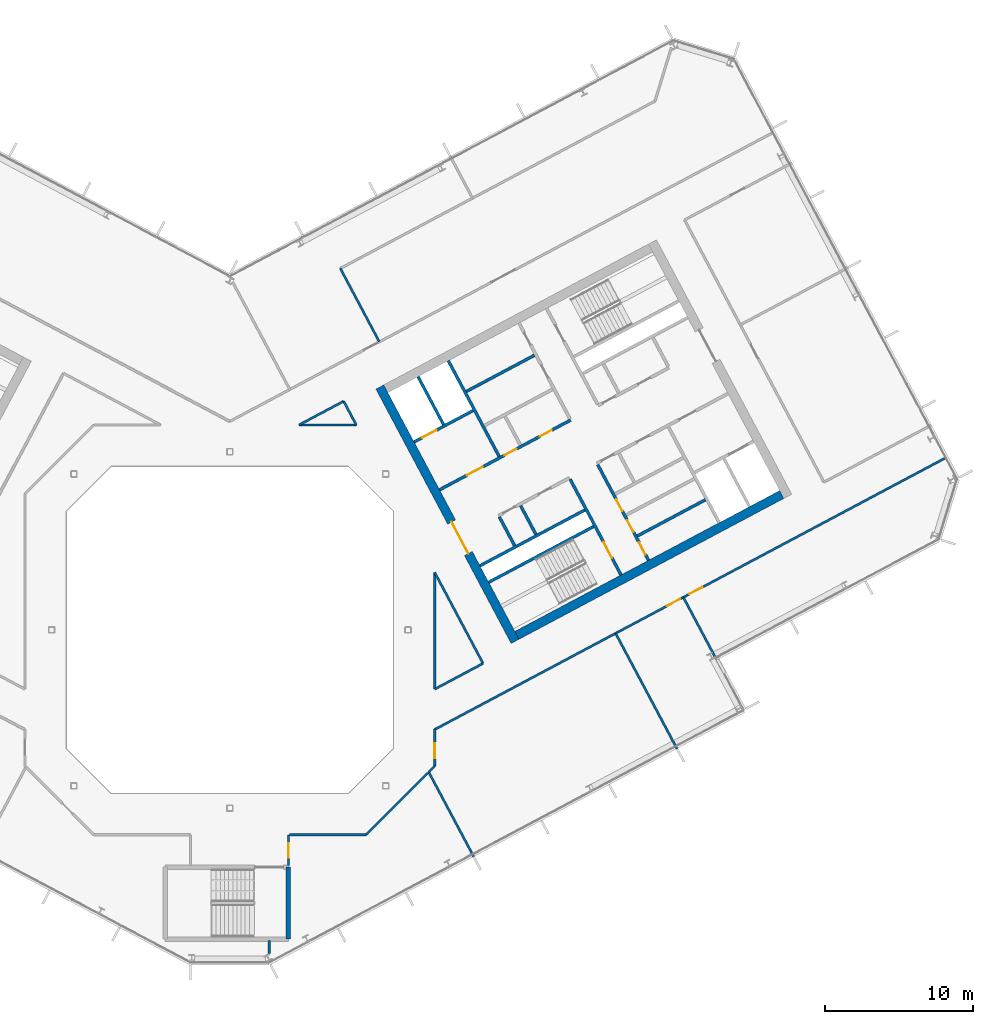
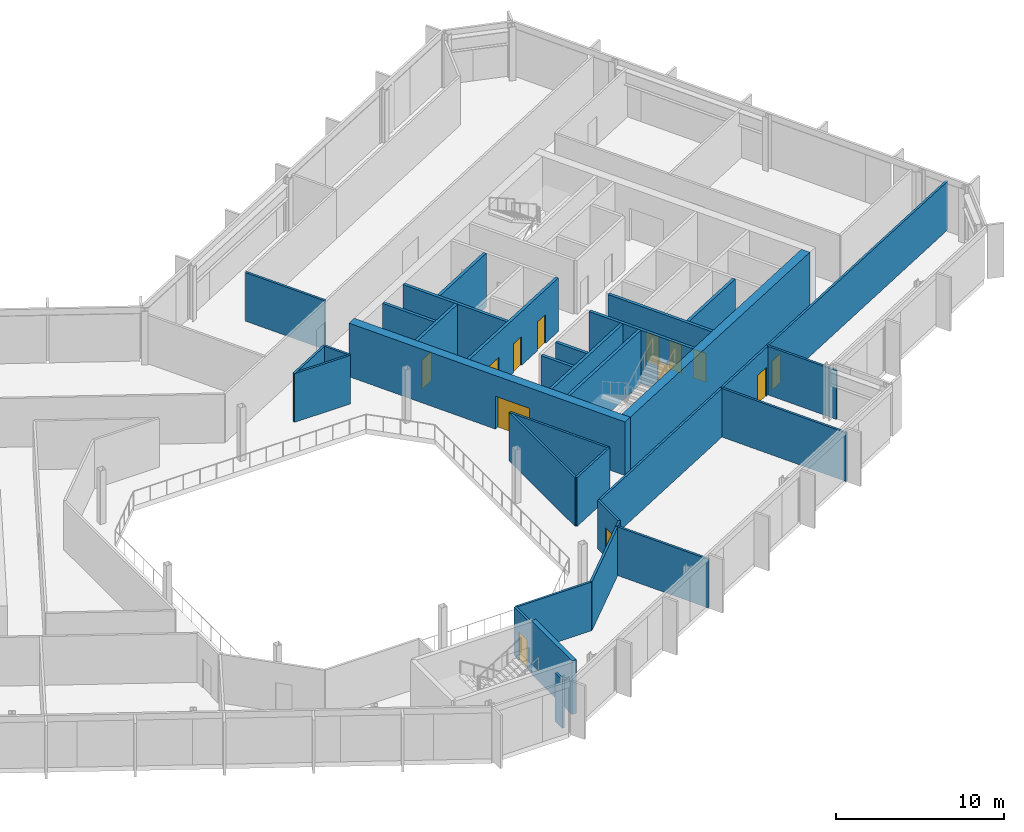
# One storey, part 15 of 26: 32 walls, 13 doors, 13 openings.
"""IFC4 building model written with IfcOpenShell, lengths in metres."""

import ifcopenshell
import ifcopenshell.guid

model = None  # the IFC model being written
_history = None  # IfcOwnerHistory: only IFC2X3 demands one
_inside = {}  # id of a spatial element -> (the spatial element, [elements in it])
_under = {}  # id of a project, library or spatial element -> (it, [spatial elements below it])
_declared = {}  # id of a project -> (the project, [libraries it declares])
_typed = {}  # id of a type object -> (the type object, [elements of that type])
_made_of = {}  # id of a material, layer set ... -> (it, [elements and type objects made of it])


def new_model(schema):
    """Start an empty IFC model of exactly this schema.

    Asked for "IFC4X3", IfcOpenShell would pick the latest addendum, in which some entities
    have other attributes; the version numbers below select the first issue.
    IFC2X3 requires an IfcOwnerHistory on every rooted entity: one is made here for all.
    """
    global model, _history
    if schema == "IFC4X3":
        model = ifcopenshell.file(schema_version=(4, 3, 0, 0))
    else:
        model = ifcopenshell.file(schema=schema)
    _inside.clear()
    _under.clear()
    _declared.clear()
    _typed.clear()
    _made_of.clear()
    _history = None
    if model.schema == "IFC2X3":
        org = make("IfcOrganization", Name="unknown")
        user = make(
            "IfcPersonAndOrganization",
            ThePerson=make("IfcPerson", FamilyName="unknown"),
            TheOrganization=org,
        )
        app = make(
            "IfcApplication",
            ApplicationDeveloper=org,
            Version="unknown",
            ApplicationFullName="unknown",
            ApplicationIdentifier="unknown",
        )
        _history = make(
            "IfcOwnerHistory",
            OwningUser=user,
            OwningApplication=app,
            ChangeAction="ADDED",
            CreationDate=0,
        )
    return model


def make(cls, **values):
    """One entity of the class cls with the attributes given. An attribute that is None is left unset."""
    return model.create_entity(
        cls, **{name: value for name, value in values.items() if value is not None}
    )


def rooted(cls, **values):
    """An entity with a GlobalId (a new one), such as an element, a storey or a relation."""
    return make(cls, GlobalId=ifcopenshell.guid.new(), OwnerHistory=_history, **values)


def si_unit(unit_type, name, prefix=None):
    """IfcSIUnit, for example si_unit("LENGTHUNIT", "METRE", prefix="MILLI")."""
    return make("IfcSIUnit", UnitType=unit_type, Prefix=prefix, Name=name)


def assignment(units):
    """IfcUnitAssignment: the units of a project."""
    return None if units is None else make("IfcUnitAssignment", Units=units)


def point(xyz):
    """IfcCartesianPoint."""
    return None if xyz is None else make("IfcCartesianPoint", Coordinates=xyz)


def direction(xyz):
    """IfcDirection."""
    return None if xyz is None else make("IfcDirection", DirectionRatios=xyz)


def frame(location, z_axis=None, x_axis=None):
    """IfcAxis2Placement3D, a coordinate frame: its origin and axes. An axis left out is left unset."""
    return make(
        "IfcAxis2Placement3D",
        Location=point(location),
        Axis=direction(z_axis),
        RefDirection=direction(x_axis),
    )


def frame_2d(location, x_axis=None):
    """IfcAxis2Placement2D, a coordinate frame in the plane: its origin and x axis."""
    return make(
        "IfcAxis2Placement2D", Location=point(location), RefDirection=direction(x_axis)
    )


def origin():
    """The frame at (0, 0, 0) with its axes left unset."""
    return frame((0.0, 0.0, 0.0))


def place(relative_to, where):
    """IfcLocalPlacement: puts the frame where relative to a parent placement (None: the world)."""
    return make(
        "IfcLocalPlacement", PlacementRelTo=relative_to, RelativePlacement=where
    )


def context(
    kind, dimensions, precision=None, world=None, true_north=None, identifier=None
):
    """IfcGeometricRepresentationContext, for example the 3D "Model" context."""
    return make(
        "IfcGeometricRepresentationContext",
        ContextIdentifier=identifier,
        ContextType=kind,
        CoordinateSpaceDimension=dimensions,
        Precision=precision,
        WorldCoordinateSystem=world,
        TrueNorth=true_north,
    )


def subcontext(parent, identifier, kind, view, scale=None):
    """IfcGeometricRepresentationSubContext, for example "Body" below "Model"."""
    return make(
        "IfcGeometricRepresentationSubContext",
        ContextIdentifier=identifier,
        ContextType=kind,
        ParentContext=parent,
        TargetScale=scale,
        TargetView=view,
    )


def project(units=None, contexts=None):
    """IfcProject with its units and contexts."""
    return rooted(
        "IfcProject",
        Name="project",
        RepresentationContexts=contexts,
        UnitsInContext=assignment(units),
    )


def spatial(cls, under=None, at=None, **own):
    """A site, building, storey or space (cls), placed at a placement, below another one or the project."""
    s = rooted(cls, ObjectPlacement=at, **own)
    if under is not None:
        _under.setdefault(under.id(), (under, []))[1].append(s)
    return s


def profile(cls, at=None, kind="AREA", **sizes):
    """A parametric profile (cls). Its sizes go by their IFC names, for example OverallWidth=200.0."""
    return make(cls, ProfileType=kind, Position=at, **sizes)


def rectangle(**sizes):
    """IfcRectangleProfileDef."""
    return profile("IfcRectangleProfileDef", **sizes)


def extrude(swept, where, along, depth):
    """IfcExtrudedAreaSolid: the profile swept, set in the frame where, extruded along a direction by depth."""
    return make(
        "IfcExtrudedAreaSolid",
        SweptArea=swept,
        Position=where,
        ExtrudedDirection=direction(along),
        Depth=depth,
    )


def shape(context_of_items, identifier, shape_type, items):
    """IfcShapeRepresentation: the items that make up one representation, for example the "Body"."""
    return make(
        "IfcShapeRepresentation",
        ContextOfItems=context_of_items,
        RepresentationIdentifier=identifier,
        RepresentationType=shape_type,
        Items=items,
    )


def material(Name=None, Category=None):
    """IfcMaterial."""
    return make("IfcMaterial", Name=Name, Category=Category)


def layer(
    of_material, thickness, ventilated=None, Name=None, Category=None, Priority=None
):
    """IfcMaterialLayer: one layer of a wall or slab, of a material (None: an air gap)."""
    return make(
        "IfcMaterialLayer",
        Material=of_material,
        LayerThickness=thickness,
        IsVentilated=ventilated,
        Name=Name,
        Category=Category,
        Priority=Priority,
    )


def layer_set(layers, Name=None):
    """IfcMaterialLayerSet."""
    return make("IfcMaterialLayerSet", MaterialLayers=layers, LayerSetName=Name)


def made_of(thing, what):
    """Note that an element or type object is made of a material, layer set ...; save() writes the relation."""
    if what is not None:
        _made_of.setdefault(what.id(), (what, []))[1].append(thing)
    return thing


def type_object(cls, material=None, **own):
    """A type object (cls), such as IfcWallType, which elements share."""
    return made_of(rooted(cls, **own), material)


def element(
    cls,
    number,
    at=None,
    inside=None,
    cuts=None,
    type_object=None,
    material=None,
    context=None,
    identifier="Body",
    shape_type=None,
    held_by="IfcProductDefinitionShape",
    body=None,
    shapes=None,
    **own,
):
    """One element of the class cls, such as IfcWall. Its Tag is "e" and its number.

    at: its placement. inside: the storey or other place that contains it. cuts: it is an
    opening in that element (IfcRelVoidsElement). A single representation is given by context,
    identifier, shape_type and body (its items); several are given by shapes. held_by: the class
    of the entity that holds the representations. save() writes the other relations.
    """
    e = rooted(cls, Tag="e%d" % number, ObjectPlacement=at, **own)
    if body is not None:
        shapes = [shape(context, identifier, shape_type, body)]
    if shapes is not None:
        e.Representation = make(held_by, Representations=shapes)
    if inside is not None:
        _inside.setdefault(inside.id(), (inside, []))[1].append(e)
    if cuts is not None:
        rooted(
            "IfcRelVoidsElement", RelatingBuildingElement=cuts, RelatedOpeningElement=e
        )
    if type_object is not None:
        _typed.setdefault(type_object.id(), (type_object, []))[1].append(e)
    return made_of(e, material)


def fill(opening, filler):
    """IfcRelFillsElement: the door or window that sits in an opening."""
    return rooted(
        "IfcRelFillsElement",
        RelatingOpeningElement=opening,
        RelatedBuildingElement=filler,
    )


def aggregate(whole, parts):
    """IfcRelAggregates: a whole, such as a stair, and the parts it consists of."""
    return rooted("IfcRelAggregates", RelatingObject=whole, RelatedObjects=parts)


def save(model, path):
    """Write the relations noted so far, then the file.

    IfcRelAggregates (storeys below a building ...), IfcRelContainedInSpatialStructure (elements
    in a storey), IfcRelDefinesByType, IfcRelAssociatesMaterial and IfcRelDeclares: one each for
    every whole, place, type object, material and project.
    """
    for whole, parts in _under.values():
        aggregate(whole, parts)
    for where, things in _inside.values():
        rooted(
            "IfcRelContainedInSpatialStructure",
            RelatedElements=things,
            RelatingStructure=where,
        )
    for kind, things in _typed.values():
        rooted("IfcRelDefinesByType", RelatedObjects=things, RelatingType=kind)
    for what, things in _made_of.values():
        rooted("IfcRelAssociatesMaterial", RelatedObjects=things, RelatingMaterial=what)
    for by, libraries in _declared.values():
        rooted("IfcRelDeclares", RelatingContext=by, RelatedDefinitions=libraries)
    model.write(path)


model = new_model("IFC4")

# Units and contexts
model_context = context("Model", 3, precision=1e-05, world=origin(), true_north=direction((0.0, 1.0)))
body_context = subcontext(model_context, "Body", "Model", "MODEL_VIEW")
ifc_project = project(units=[si_unit("LENGTHUNIT", "METRE"), si_unit("AREAUNIT", "SQUARE_METRE"), si_unit("VOLUMEUNIT", "CUBIC_METRE"), si_unit("PLANEANGLEUNIT", "RADIAN"), si_unit("MASSUNIT", "GRAM", prefix="KILO")], contexts=[model_context])

# Site, building, storey
site_placement = place(None, origin())
site = spatial("IfcSite", under=ifc_project, at=site_placement, CompositionType="ELEMENT")
building_placement = place(site_placement, origin())
building = spatial("IfcBuilding", under=site, at=building_placement, Name="Cormorant Relay Tower", CompositionType="ELEMENT")
storey_placement = place(building_placement, frame((0.0, 0.0, 197.39990234375)))
storey = spatial("IfcBuildingStorey", under=building, at=storey_placement, Name="L42", CompositionType="ELEMENT", Elevation=197.39990234375)

# Walls
ifc_material_1 = material(Name="Concrete 40 MPa", Category="concrete")
ifc_layer_1 = layer(ifc_material_1, 0.199951171875)
ifc_layer_set_1 = layer_set([ifc_layer_1], Name="Core internal wall 200")
wall_type_1 = type_object("IfcWallType", Name="Core internal wall 200", PredefinedType="SOLIDWALL", material=ifc_layer_set_1)
wall_1_placement = place(storey_placement, frame((20.614013671875, 6.430419921875, 0.0), z_axis=(0.0, 0.0, 1.0), x_axis=(-0.4694473164, 0.882960484464, 0.0)))
element("IfcWall", 1, at=wall_1_placement, inside=storey, type_object=wall_type_1, Name="L42 core B shaft and room wall", PredefinedType="SOLIDWALL", context=body_context, shape_type="SweptSolid", body=[
    extrude(rectangle(XDim=2.199951171875, YDim=0.199951171875, at=frame_2d((1.10009765625, 0.0))), origin(), (0.0, 0.0, 1.0), 3.900146484375),
])
for number, where, z_axis, x_axis, name in (
    (2, (27.443359375, 6.32421875, 0.0), (0.0, 0.0, 1.0), (0.882953967957, 0.469459572775, 0.0), "L42 core B shaft and room wall"),
    (3, (15.92626953125, 16.056396484375, 0.0), (0.0, 0.0, 1.0), (0.882953967957, 0.469459572775, 0.0), "L42 core B shaft and room wall"),
):
    element("IfcWall", number, at=place(storey_placement, frame(where, z_axis=z_axis, x_axis=x_axis)), inside=storey, type_object=wall_type_1, Name=name, PredefinedType="SOLIDWALL", context=body_context, shape_type="SweptSolid", body=[
        extrude(rectangle(XDim=5.199951171875, YDim=0.199951171875, at=frame_2d((2.60009765625, 0.0))), origin(), (0.0, 0.0, 1.0), 3.900146484375),
    ])
ifc_material_2 = material(Name="Concrete 50 MPa", Category="concrete")
ifc_layer_2 = layer(ifc_material_2, 0.199951171875)
ifc_layer_set_2 = layer_set([ifc_layer_2], Name="Core shaft wall 200")
wall_type_2 = type_object("IfcWallType", Name="Core shaft wall 200", PredefinedType="SHEAR", material=ifc_layer_set_2)
wall_2_placement = place(storey_placement, frame((14.39404296875, 13.825927734375, 0.0), z_axis=(0.0, 0.0, 1.0), x_axis=(-0.469494272526, 0.882935517501, 0.0)))
element("IfcWall", 4, at=wall_2_placement, inside=storey, type_object=wall_type_2, Name="L42 core B shaft wall", PredefinedType="SHEAR", context=body_context, shape_type="SweptSolid", body=[
    extrude(rectangle(XDim=3.64990234375, YDim=0.199951171875, at=frame_2d((1.824951171875, 0.0))), origin(), (0.0, 0.0, 1.0), 3.900146484375),
])
wall_3_placement = place(storey_placement, frame((19.18359375, 5.669921875, 0.0), z_axis=(0.0, 0.0, 1.0), x_axis=(-0.4694473164, 0.882960484464, 0.0)))
element("IfcWall", 5, at=wall_3_placement, inside=storey, type_object=wall_type_2, Name="L42 core B shaft wall", PredefinedType="SHEAR", context=body_context, shape_type="SweptSolid", body=[
    extrude(rectangle(XDim=2.199951171875, YDim=0.199951171875, at=frame_2d((1.10009765625, 0.0))), origin(), (0.0, 0.0, 1.0), 3.900146484375),
])
wall_4_placement = place(storey_placement, frame((18.138427734375, 11.682861328125, 0.0), z_axis=(0.0, 0.0, 1.0), x_axis=(-0.469480409012, 0.88294288918, 0.0)))
element("IfcWall", 6, at=wall_4_placement, inside=storey, type_object=wall_type_2, Name="L42 core B shaft wall", PredefinedType="SHEAR", context=body_context, shape_type="SweptSolid", body=[
    extrude(rectangle(XDim=7.300048828125, YDim=0.199951171875, at=frame_2d((3.64990234375, 0.0))), origin(), (0.0, 0.0, 1.0), 3.900146484375),
])

# Wall, opening, door
wall_5_placement = place(storey_placement, frame((26.345947265625, 3.701904296875, 0.0), z_axis=(0.0, 0.0, 1.0), x_axis=(-0.469480409012, 0.88294288918, 0.0)))
wall_5 = element("IfcWall", 7, at=wall_5_placement, inside=storey, type_object=wall_type_2, Name="L42 core B shaft wall", PredefinedType="SHEAR", context=body_context, shape_type="SweptSolid", body=[
    extrude(rectangle(XDim=7.300048828125, YDim=0.199951171875, at=frame_2d((3.64990234375, 0.0))), origin(), (0.0, 0.0, 1.0), 3.900146484375),
])
opening_1_placement = place(wall_5_placement, frame((1.300048828125, 0.0, 0.0)))
opening_1 = element("IfcOpeningElement", 8, at=opening_1_placement, cuts=wall_5, Name="Opening CDB-040", PredefinedType="OPENING", context=body_context, shape_type="SweptSolid", body=[
    extrude(rectangle(XDim=1.199951171875, YDim=2.10009765625, at=frame_2d((0.60009765625, 1.050048828125))), frame((0.0, 0.10986328125, 0.0), z_axis=(0.0, -1.0, 0.0), x_axis=(1.0, 0.0, 0.0)), (0.0, 0.0, 1.0), 0.219970703125),
])
ifc_material_3 = material(Name="Steel fire door", Category="steel")
door_type_1 = type_object("IfcDoorType", Name="Core stair door 1200x2100", OperationType="SINGLE_SWING_LEFT", PredefinedType="DOOR", material=ifc_material_3)
door_1_placement = place(opening_1_placement, origin())
door_1 = element("IfcDoor", 9, at=door_1_placement, inside=storey, type_object=door_type_1, Name="Core stair door 1200x2100", OperationType="SINGLE_SWING_RIGHT", OverallHeight=2.10009765625, OverallWidth=1.199951171875, PredefinedType="DOOR", context=body_context, shape_type="SweptSolid", body=[
    extrude(rectangle(XDim=1.199951171875, YDim=2.10009765625, at=frame_2d((0.60009765625, 1.050048828125))), frame((0.0, 0.02490234375, 0.0), z_axis=(0.0, -1.0, 0.0), x_axis=(1.0, 0.0, 0.0)), (0.0, 0.0, 1.0), 0.050048828125),
])
fill(opening_1, door_1)

# Wall, openings, doors
wall_6_placement = place(storey_placement, frame((28.199951171875, 4.687744140625, 0.0), z_axis=(0.0, 0.0, 1.0), x_axis=(-0.469454336211, 0.882956752176, 0.0)))
wall_6 = element("IfcWall", 10, at=wall_6_placement, inside=storey, type_object=wall_type_2, Name="L42 core B shaft wall", PredefinedType="SHEAR", context=body_context, shape_type="SweptSolid", body=[
    extrude(rectangle(XDim=7.300048828125, YDim=0.199951171875, at=frame_2d((3.64990234375, 0.0))), origin(), (0.0, 0.0, 1.0), 3.900146484375),
])
opening_2_placement = place(wall_6_placement, frame((0.449951171875, 0.0, 0.0)))
opening_2 = element("IfcOpeningElement", 11, at=opening_2_placement, cuts=wall_6, Name="Opening CDD-251", PredefinedType="OPENING", context=body_context, shape_type="SweptSolid", body=[
    extrude(rectangle(XDim=0.89990234375, YDim=2.10009765625, at=frame_2d((0.449951171875, 1.050048828125))), frame((0.0, 0.10986328125, 0.0), z_axis=(0.0, -1.0, 0.0), x_axis=(1.0, 0.0, 0.0)), (0.0, 0.0, 1.0), 0.219970703125),
])
opening_3_placement = place(wall_6_placement, frame((2.14990234375, 0.0, 0.0)))
opening_3 = element("IfcOpeningElement", 12, at=opening_3_placement, cuts=wall_6, Name="Opening CDD-252", PredefinedType="OPENING", context=body_context, shape_type="SweptSolid", body=[
    extrude(rectangle(XDim=0.89990234375, YDim=2.10009765625, at=frame_2d((0.449951171875, 1.050048828125))), frame((0.0, 0.10986328125, 0.0), z_axis=(0.0, -1.0, 0.0), x_axis=(1.0, 0.0, 0.0)), (0.0, 0.0, 1.0), 0.219970703125),
])
opening_4_placement = place(wall_6_placement, frame((3.75, 0.0, 0.0)))
opening_4 = element("IfcOpeningElement", 13, at=opening_4_placement, cuts=wall_6, Name="Opening CDD-253", PredefinedType="OPENING", context=body_context, shape_type="SweptSolid", body=[
    extrude(rectangle(XDim=0.89990234375, YDim=2.10009765625, at=frame_2d((0.449951171875, 1.050048828125))), frame((0.0, 0.10986328125, 0.0), z_axis=(0.0, -1.0, 0.0), x_axis=(1.0, 0.0, 0.0)), (0.0, 0.0, 1.0), 0.219970703125),
])
ifc_material_4 = material(Name="Steel fire door", Category="steel")
door_type_2 = type_object("IfcDoorType", Name="Core room door 900x2100", OperationType="SINGLE_SWING_LEFT", PredefinedType="DOOR", material=ifc_material_4)
door_2_placement = place(opening_2_placement, frame((0.89990234375, 0.0, 0.0), z_axis=(0.0, 0.0, 1.0), x_axis=(-1.0, 0.0, 0.0)))
door_2 = element("IfcDoor", 14, at=door_2_placement, inside=storey, type_object=door_type_2, Name="Core room door 900x2100", OperationType="SINGLE_SWING_LEFT", OverallHeight=2.10009765625, OverallWidth=0.89990234375, PredefinedType="DOOR", context=body_context, shape_type="SweptSolid", body=[
    extrude(rectangle(XDim=0.89990234375, YDim=2.10009765625, at=frame_2d((0.449951171875, 1.050048828125))), frame((0.0, 0.02490234375, 0.0), z_axis=(0.0, -1.0, 0.0), x_axis=(1.0, 0.0, 0.0)), (0.0, 0.0, 1.0), 0.050048828125),
])
fill(opening_2, door_2)
door_3_placement = place(opening_3_placement, frame((0.89990234375, 0.0, 0.0), z_axis=(0.0, 0.0, 1.0), x_axis=(-1.0, 0.0, 0.0)))
door_3 = element("IfcDoor", 15, at=door_3_placement, inside=storey, type_object=door_type_2, Name="Core room door 900x2100", OperationType="SINGLE_SWING_LEFT", OverallHeight=2.10009765625, OverallWidth=0.89990234375, PredefinedType="DOOR", context=body_context, shape_type="SweptSolid", body=[
    extrude(rectangle(XDim=0.89990234375, YDim=2.10009765625, at=frame_2d((0.449951171875, 1.050048828125))), frame((0.0, 0.02490234375, 0.0), z_axis=(0.0, -1.0, 0.0), x_axis=(1.0, 0.0, 0.0)), (0.0, 0.0, 1.0), 0.050048828125),
])
fill(opening_3, door_3)
door_4_placement = place(opening_4_placement, frame((0.89990234375, 0.0, 0.0), z_axis=(0.0, 0.0, 1.0), x_axis=(-1.0, 0.0, 0.0)))
door_4 = element("IfcDoor", 16, at=door_4_placement, inside=storey, type_object=door_type_2, Name="Core room door 900x2100", OperationType="SINGLE_SWING_LEFT", OverallHeight=2.10009765625, OverallWidth=0.89990234375, PredefinedType="DOOR", context=body_context, shape_type="SweptSolid", body=[
    extrude(rectangle(XDim=0.89990234375, YDim=2.10009765625, at=frame_2d((0.449951171875, 1.050048828125))), frame((0.0, 0.02490234375, 0.0), z_axis=(0.0, -1.0, 0.0), x_axis=(1.0, 0.0, 0.0)), (0.0, 0.0, 1.0), 0.050048828125),
])
fill(opening_4, door_4)

# Walls
for number, where, z_axis, x_axis, name in (
    (17, (17.43359375, 3.210205078125, 0.0), (0.0, 0.0, 1.0), (0.882940221191, 0.469485426614, 0.0), "L42 core B shaft wall"),
    (18, (16.8466796875, 4.31396484375, 0.0), (0.0, 0.0, 1.0), (0.882940221191, 0.469485426614, 0.0), "L42 core B shaft wall"),
):
    element("IfcWall", number, at=place(storey_placement, frame(where, z_axis=z_axis, x_axis=x_axis)), inside=storey, type_object=wall_type_2, Name=name, PredefinedType="SHEAR", context=body_context, shape_type="SweptSolid", body=[
        extrude(rectangle(XDim=8.0, YDim=0.199951171875, at=frame_2d((4.0, 0.0))), origin(), (0.0, 0.0, 1.0), 3.900146484375),
    ])

# Wall, openings, doors
wall_7_placement = place(storey_placement, frame((14.123779296875, 9.43505859375, 0.0), z_axis=(0.0, 0.0, 1.0), x_axis=(0.882940221191, 0.469485426614, 0.0)))
wall_7 = element("IfcWall", 19, at=wall_7_placement, inside=storey, type_object=wall_type_2, Name="L42 core B shaft wall", PredefinedType="SHEAR", context=body_context, shape_type="SweptSolid", body=[
    extrude(rectangle(XDim=10.0, YDim=0.199951171875, at=frame_2d((5.0, 0.0))), origin(), (0.0, 0.0, 1.0), 3.900146484375),
])
opening_5_placement = place(wall_7_placement, frame((2.10009765625, 0.0, 0.0)))
opening_5 = element("IfcOpeningElement", 20, at=opening_5_placement, cuts=wall_7, Name="Opening CDC-035", PredefinedType="OPENING", context=body_context, shape_type="SweptSolid", body=[
    extrude(rectangle(XDim=1.199951171875, YDim=2.10009765625, at=frame_2d((0.60009765625, 1.050048828125))), frame((0.0, 0.10986328125, 0.0), z_axis=(0.0, -1.0, 0.0), x_axis=(1.0, 0.0, 0.0)), (0.0, 0.0, 1.0), 0.219970703125),
])
opening_6_placement = place(wall_7_placement, frame((4.9599609375, 0.0, 0.0)))
opening_6 = element("IfcOpeningElement", 21, at=opening_6_placement, cuts=wall_7, Name="Opening CDD-241", PredefinedType="OPENING", context=body_context, shape_type="SweptSolid", body=[
    extrude(rectangle(XDim=0.89990234375, YDim=2.10009765625, at=frame_2d((0.449951171875, 1.050048828125))), frame((0.0, 0.10986328125, 0.0), z_axis=(0.0, -1.0, 0.0), x_axis=(1.0, 0.0, 0.0)), (0.0, 0.0, 1.0), 0.219970703125),
])
opening_7_placement = place(wall_7_placement, frame((7.659912109375, 0.0, 0.0)))
opening_7 = element("IfcOpeningElement", 22, at=opening_7_placement, cuts=wall_7, Name="Opening CDD-242", PredefinedType="OPENING", context=body_context, shape_type="SweptSolid", body=[
    extrude(rectangle(XDim=0.89990234375, YDim=2.10009765625, at=frame_2d((0.449951171875, 1.050048828125))), frame((0.0, 0.10986328125, 0.0), z_axis=(0.0, -1.0, 0.0), x_axis=(1.0, 0.0, 0.0)), (0.0, 0.0, 1.0), 0.219970703125),
])
ifc_material_5 = material(Name="Steel fire door", Category="steel")
door_type_3 = type_object("IfcDoorType", Name="Core lobby door 1200x2100", OperationType="SINGLE_SWING_LEFT", PredefinedType="DOOR", material=ifc_material_5)
door_5_placement = place(opening_5_placement, frame((1.199951171875, 0.0, 0.0), z_axis=(0.0, 0.0, 1.0), x_axis=(-1.0, 0.0, 0.0)))
door_5 = element("IfcDoor", 23, at=door_5_placement, inside=storey, type_object=door_type_3, Name="Core lobby door 1200x2100", OperationType="SINGLE_SWING_RIGHT", OverallHeight=2.10009765625, OverallWidth=1.199951171875, PredefinedType="DOOR", context=body_context, shape_type="SweptSolid", body=[
    extrude(rectangle(XDim=1.199951171875, YDim=2.10009765625, at=frame_2d((0.60009765625, 1.050048828125))), frame((0.0, 0.02490234375, 0.0), z_axis=(0.0, -1.0, 0.0), x_axis=(1.0, 0.0, 0.0)), (0.0, 0.0, 1.0), 0.050048828125),
])
fill(opening_5, door_5)
door_6_placement = place(opening_6_placement, frame((0.89990234375, 0.0, 0.0), z_axis=(0.0, 0.0, 1.0), x_axis=(-1.0, 0.0, 0.0)))
door_6 = element("IfcDoor", 24, at=door_6_placement, inside=storey, type_object=door_type_2, Name="Core room door 900x2100", OperationType="SINGLE_SWING_RIGHT", OverallHeight=2.10009765625, OverallWidth=0.89990234375, PredefinedType="DOOR", context=body_context, shape_type="SweptSolid", body=[
    extrude(rectangle(XDim=0.89990234375, YDim=2.10009765625, at=frame_2d((0.449951171875, 1.050048828125))), frame((0.0, 0.02490234375, 0.0), z_axis=(0.0, -1.0, 0.0), x_axis=(1.0, 0.0, 0.0)), (0.0, 0.0, 1.0), 0.050048828125),
])
fill(opening_6, door_6)
door_7_placement = place(opening_7_placement, frame((0.89990234375, 0.0, 0.0), z_axis=(0.0, 0.0, 1.0), x_axis=(-1.0, 0.0, 0.0)))
door_7 = element("IfcDoor", 25, at=door_7_placement, inside=storey, type_object=door_type_2, Name="Core room door 900x2100", OperationType="SINGLE_SWING_RIGHT", OverallHeight=2.10009765625, OverallWidth=0.89990234375, PredefinedType="DOOR", context=body_context, shape_type="SweptSolid", body=[
    extrude(rectangle(XDim=0.89990234375, YDim=2.10009765625, at=frame_2d((0.449951171875, 1.050048828125))), frame((0.0, 0.02490234375, 0.0), z_axis=(0.0, -1.0, 0.0), x_axis=(1.0, 0.0, 0.0)), (0.0, 0.0, 1.0), 0.050048828125),
])
fill(opening_7, door_7)

# Wall, opening, door
wall_8_placement = place(storey_placement, frame((12.41015625, 12.657958984375, 0.0), z_axis=(0.0, 0.0, 1.0), x_axis=(0.8829484765, 0.469469900894, 0.0)))
wall_8 = element("IfcWall", 26, at=wall_8_placement, inside=storey, type_object=wall_type_2, Name="L42 core B shaft wall", PredefinedType="SHEAR", context=body_context, shape_type="SweptSolid", body=[
    extrude(rectangle(XDim=4.499755859375, YDim=0.199951171875, at=frame_2d((2.25, 0.0))), origin(), (0.0, 0.0, 1.0), 3.900146484375),
])
opening_8_placement = place(wall_8_placement, frame((0.60009765625, 0.0, 0.0)))
opening_8 = element("IfcOpeningElement", 27, at=opening_8_placement, cuts=wall_8, Name="Opening LD1-064", PredefinedType="OPENING", context=body_context, shape_type="SweptSolid", body=[
    extrude(rectangle(XDim=1.10009765625, YDim=2.10009765625, at=frame_2d((0.550048828125, 1.050048828125))), frame((0.0, 0.10986328125, 0.0), z_axis=(0.0, -1.0, 0.0), x_axis=(1.0, 0.0, 0.0)), (0.0, 0.0, 1.0), 0.219970703125),
])
ifc_material_6 = material(Name="Stainless steel 316", Category="steel")
door_type_4 = type_object("IfcDoorType", Name="Lift landing door 1100x2100", OperationType="DOUBLE_DOOR_SLIDING", PredefinedType="DOOR", material=ifc_material_6)
door_8_placement = place(opening_8_placement, origin())
door_8 = element("IfcDoor", 28, at=door_8_placement, inside=storey, type_object=door_type_4, Name="FF2 landing door", OperationType="DOUBLE_DOOR_SLIDING", OverallHeight=2.10009765625, OverallWidth=1.10009765625, PredefinedType="DOOR", context=body_context, shape_type="SweptSolid", body=[
    extrude(rectangle(XDim=1.10009765625, YDim=2.10009765625, at=frame_2d((0.550048828125, 1.050048828125))), frame((0.0, 0.02490234375, 0.0), z_axis=(0.0, -1.0, 0.0), x_axis=(1.0, 0.0, 0.0)), (0.0, 0.0, 1.0), 0.050048828125),
])
fill(opening_8, door_8)

ifc_material_7 = material(Name="Concrete 50 MPa", Category="concrete")
ifc_layer_3 = layer(ifc_material_7, 0.60009765625)
ifc_layer_set_3 = layer_set([ifc_layer_3], Name="Core wall 600")
wall_type_3 = type_object("IfcWallType", Name="Core wall 600", PredefinedType="SHEAR", material=ifc_layer_set_3)
wall_9_placement = place(storey_placement, frame((19.210693359375, -0.771484375, 0.0), z_axis=(0.0, 0.0, 1.0), x_axis=(-0.469463742137, 0.882951751127, 0.0)))
wall_9 = element("IfcWall", 29, at=wall_9_placement, inside=storey, type_object=wall_type_3, Name="L42 core B wall", PredefinedType="SHEAR", context=body_context, shape_type="SweptSolid", body=[
    extrude(rectangle(XDim=19.400146484375, YDim=0.60009765625, at=frame_2d((9.7001953125, 0.0))), origin(), (0.0, 0.0, 1.0), 3.900146484375),
])
opening_9_placement = place(wall_9_placement, frame((6.699951171875, 0.0, 0.0)))
opening_9 = element("IfcOpeningElement", 30, at=opening_9_placement, cuts=wall_9, Name="Opening CDA-042", PredefinedType="OPENING", context=body_context, shape_type="SweptSolid", body=[
    extrude(rectangle(XDim=2.39990234375, YDim=2.39990234375, at=frame_2d((1.199951171875, 1.199951171875))), frame((0.0, 0.31005859375, 0.0), z_axis=(0.0, -1.0, 0.0), x_axis=(1.0, 0.0, 0.0)), (0.0, 0.0, 1.0), 0.6201171875),
])
ifc_material_8 = material(Name="Steel fire door", Category="steel")
door_type_5 = type_object("IfcDoorType", Name="Core lobby door 2400x2400", OperationType="DOUBLE_DOOR_SINGLE_SWING", PredefinedType="DOOR", material=ifc_material_8)
door_9_placement = place(opening_9_placement, frame((2.39990234375, 0.0, 0.0), z_axis=(0.0, 0.0, 1.0), x_axis=(-1.0, 0.0, 0.0)))
door_9 = element("IfcDoor", 31, at=door_9_placement, inside=storey, type_object=door_type_5, Name="Core lobby door 2400x2400", OperationType="DOUBLE_DOOR_SINGLE_SWING", OverallHeight=2.39990234375, OverallWidth=2.39990234375, PredefinedType="DOOR", context=body_context, shape_type="SweptSolid", body=[
    extrude(rectangle(XDim=2.39990234375, YDim=2.39990234375, at=frame_2d((1.199951171875, 1.199951171875))), frame((0.0, 0.02490234375, 0.0), z_axis=(0.0, -1.0, 0.0), x_axis=(1.0, 0.0, 0.0)), (0.0, 0.0, 1.0), 0.050048828125),
])
fill(opening_9, door_9)

# Wall
wall_10_placement = place(storey_placement, frame((19.3349609375, -0.36572265625, 0.0), z_axis=(0.0, 0.0, 1.0), x_axis=(0.88294509198, 0.469476266226, 0.0)))
element("IfcWall", 32, at=wall_10_placement, inside=storey, type_object=wall_type_3, Name="L42 core B wall", PredefinedType="SHEAR", context=body_context, shape_type="SweptSolid", body=[
    extrude(rectangle(XDim=20.199951171875, YDim=0.60009765625, at=frame_2d((10.10009765625, 0.0))), origin(), (0.0, 0.0, 1.0), 3.900146484375),
])

# Wall, opening, door
ifc_material_9 = material(Name="Gypsum board fire partition")
ifc_layer_4 = layer(ifc_material_9, 0.14990234375)
ifc_layer_set_4 = layer_set([ifc_layer_4], Name="Corridor partition 150 EI 60")
wall_type_4 = type_object("IfcWallType", Name="Corridor partition 150 EI 60", PredefinedType="PARTITIONING", material=ifc_layer_set_4)
wall_11_placement = place(storey_placement, frame((3.949951171875, -13.800048828125, 0.0), z_axis=(0.0, 0.0, 1.0), x_axis=(0.0, -1.0, 0.0)))
wall_11 = element("IfcWall", 33, at=wall_11_placement, inside=storey, type_object=wall_type_4, Name="wall/L42/part/026", PredefinedType="PARTITIONING", context=body_context, shape_type="SweptSolid", body=[
    extrude(rectangle(XDim=2.074951171875, YDim=0.14990234375, at=frame_2d((1.03759765625, 0.0))), origin(), (0.0, 0.0, 1.0), 3.5400390625),
])
opening_10_placement = place(wall_11_placement, frame((0.550048828125, 0.0, 0.0)))
opening_10 = element("IfcOpeningElement", 34, at=opening_10_placement, cuts=wall_11, Name="Opening DS-107", PredefinedType="OPENING", context=body_context, shape_type="SweptSolid", body=[
    extrude(rectangle(XDim=1.0, YDim=2.10009765625, at=frame_2d((0.5, 1.050048828125))), frame((0.0, 0.0849609375, 0.0), z_axis=(0.0, -1.0, 0.0), x_axis=(1.0, 0.0, 0.0)), (0.0, 0.0, 1.0), 0.169921875),
])
ifc_material_10 = material(Name="Timber door leaf", Category="wood")
door_type_6 = type_object("IfcDoorType", Name="Suite door 1000x2100", OperationType="SINGLE_SWING_LEFT", PredefinedType="DOOR", material=ifc_material_10)
door_10_placement = place(opening_10_placement, origin())
door_10 = element("IfcDoor", 35, at=door_10_placement, inside=storey, type_object=door_type_6, Name="door/L42/001", OperationType="SINGLE_SWING_LEFT", OverallHeight=2.10009765625, OverallWidth=1.0, PredefinedType="DOOR", context=body_context, shape_type="SweptSolid", body=[
    extrude(rectangle(XDim=1.0, YDim=2.10009765625, at=frame_2d((0.5, 1.050048828125))), frame((0.0, 0.02490234375, 0.0), z_axis=(0.0, -1.0, 0.0), x_axis=(1.0, 0.0, 0.0)), (0.0, 0.0, 1.0), 0.050048828125),
])
fill(opening_10, door_10)

# Walls
wall_12_placement = place(storey_placement, frame((13.3310546875, -9.62890625, 0.0), z_axis=(0.0, 0.0, 1.0), x_axis=(-0.707106781187, -0.707106781187, 0.0)))
element("IfcWall", 36, at=wall_12_placement, inside=storey, type_object=wall_type_4, Name="wall/L42/part/027", PredefinedType="PARTITIONING", context=body_context, shape_type="SweptSolid", body=[
    extrude(rectangle(XDim=5.89892578125, YDim=0.14990234375, at=frame_2d((2.949462890625, 0.0))), origin(), (0.0, 0.0, 1.0), 3.5400390625),
])
wall_13_placement = place(storey_placement, frame((9.159912109375, -13.800048828125, 0.0), z_axis=(0.0, 0.0, 1.0), x_axis=(-1.0, 0.0, 0.0)))
element("IfcWall", 37, at=wall_13_placement, inside=storey, type_object=wall_type_4, Name="wall/L42/part/028", PredefinedType="PARTITIONING", context=body_context, shape_type="SweptSolid", body=[
    extrude(rectangle(XDim=5.135009765625, YDim=0.14990234375, at=frame_2d((2.5673828125, 0.0))), origin(), (0.0, 0.0, 1.0), 3.5400390625),
])

# Wall, opening, door
wall_14_placement = place(storey_placement, frame((13.800048828125, -6.656005859375, 0.0), z_axis=(0.0, 0.0, 1.0), x_axis=(0.0, -1.0, 0.0)))
wall_14 = element("IfcWall", 38, at=wall_14_placement, inside=storey, type_object=wall_type_4, Name="wall/L42/part/032", PredefinedType="PARTITIONING", context=body_context, shape_type="SweptSolid", body=[
    extrude(rectangle(XDim=2.50390625, YDim=0.14990234375, at=frame_2d((1.251953125, 0.0))), origin(), (0.0, 0.0, 1.0), 3.5400390625),
])
opening_11_placement = place(wall_14_placement, frame((0.98193359375, 0.0, 0.0)))
opening_11 = element("IfcOpeningElement", 39, at=opening_11_placement, cuts=wall_14, Name="Opening DS-108", PredefinedType="OPENING", context=body_context, shape_type="SweptSolid", body=[
    extrude(rectangle(XDim=1.0, YDim=2.10009765625, at=frame_2d((0.5, 1.050048828125))), frame((0.0, 0.0849609375, 0.0), z_axis=(0.0, -1.0, 0.0), x_axis=(1.0, 0.0, 0.0)), (0.0, 0.0, 1.0), 0.169921875),
])
door_11_placement = place(opening_11_placement, origin())
door_11 = element("IfcDoor", 40, at=door_11_placement, inside=storey, type_object=door_type_6, Name="door/L42/002", OperationType="SINGLE_SWING_LEFT", OverallHeight=2.10009765625, OverallWidth=1.0, PredefinedType="DOOR", context=body_context, shape_type="SweptSolid", body=[
    extrude(rectangle(XDim=1.0, YDim=2.10009765625, at=frame_2d((0.5, 1.050048828125))), frame((0.0, 0.02490234375, 0.0), z_axis=(0.0, -1.0, 0.0), x_axis=(1.0, 0.0, 0.0)), (0.0, 0.0, 1.0), 0.050048828125),
])
fill(opening_11, door_11)

# Wall
wall_15_placement = place(storey_placement, frame((13.39501953125, -9.56494140625, 0.0), z_axis=(0.0, 0.0, 1.0), x_axis=(0.706254846232, 0.707957690949, 0.0)))
element("IfcWall", 41, at=wall_15_placement, inside=storey, type_object=wall_type_4, Name="wall/L42/part/033", PredefinedType="PARTITIONING", context=body_context, shape_type="SweptSolid", body=[
    extrude(rectangle(XDim=0.573486328125, YDim=0.14990234375, at=frame_2d((0.28662109375, 0.0))), origin(), (0.0, 0.0, 1.0), 3.5400390625),
])

# Wall, openings, doors
wall_16_placement = place(storey_placement, frame((48.3798828125, 11.678955078125, 0.0), z_axis=(0.0, 0.0, 1.0), x_axis=(-0.882962559816, -0.469443412951, 0.0)))
wall_16 = element("IfcWall", 42, at=wall_16_placement, inside=storey, type_object=wall_type_4, Name="wall/L42/part/035", PredefinedType="PARTITIONING", context=body_context, shape_type="SweptSolid", body=[
    extrude(rectangle(XDim=39.163330078125, YDim=0.14990234375, at=frame_2d((19.58154296875, 0.0))), origin(), (0.0, 0.0, 1.0), 3.5400390625),
])
opening_12_placement = place(wall_16_placement, frame((20.449951171875, 0.0, 0.0)))
opening_12 = element("IfcOpeningElement", 43, at=opening_12_placement, cuts=wall_16, Name="Opening DS-109", PredefinedType="OPENING", context=body_context, shape_type="SweptSolid", body=[
    extrude(rectangle(XDim=1.0, YDim=2.10009765625, at=frame_2d((0.5, 1.050048828125))), frame((0.0, 0.0849609375, 0.0), z_axis=(0.0, -1.0, 0.0), x_axis=(1.0, 0.0, 0.0)), (0.0, 0.0, 1.0), 0.169921875),
])
opening_13_placement = place(wall_16_placement, frame((18.75, 0.0, 0.0)))
opening_13 = element("IfcOpeningElement", 44, at=opening_13_placement, cuts=wall_16, Name="Opening DS-110", PredefinedType="OPENING", context=body_context, shape_type="SweptSolid", body=[
    extrude(rectangle(XDim=1.0, YDim=2.10009765625, at=frame_2d((0.5, 1.050048828125))), frame((0.0, 0.0849609375, 0.0), z_axis=(0.0, -1.0, 0.0), x_axis=(1.0, 0.0, 0.0)), (0.0, 0.0, 1.0), 0.169921875),
])
door_12_placement = place(opening_12_placement, origin())
door_12 = element("IfcDoor", 45, at=door_12_placement, inside=storey, type_object=door_type_6, Name="door/L42/003", OperationType="SINGLE_SWING_LEFT", OverallHeight=2.10009765625, OverallWidth=1.0, PredefinedType="DOOR", context=body_context, shape_type="SweptSolid", body=[
    extrude(rectangle(XDim=1.0, YDim=2.10009765625, at=frame_2d((0.5, 1.050048828125))), frame((0.0, 0.02490234375, 0.0), z_axis=(0.0, -1.0, 0.0), x_axis=(1.0, 0.0, 0.0)), (0.0, 0.0, 1.0), 0.050048828125),
])
fill(opening_12, door_12)
door_13_placement = place(opening_13_placement, origin())
door_13 = element("IfcDoor", 46, at=door_13_placement, inside=storey, type_object=door_type_6, Name="door/L42/004", OperationType="SINGLE_SWING_RIGHT", OverallHeight=2.10009765625, OverallWidth=1.0, PredefinedType="DOOR", context=body_context, shape_type="SweptSolid", body=[
    extrude(rectangle(XDim=1.0, YDim=2.10009765625, at=frame_2d((0.5, 1.050048828125))), frame((0.0, 0.02490234375, 0.0), z_axis=(0.0, -1.0, 0.0), x_axis=(1.0, 0.0, 0.0)), (0.0, 0.0, 1.0), 0.050048828125),
])
fill(opening_13, door_13)

# Walls
wall_17_placement = place(storey_placement, frame((4.653076171875, 13.800048828125, 0.0), z_axis=(0.0, 0.0, 1.0), x_axis=(1.0, 0.0, 0.0)))
element("IfcWall", 47, at=wall_17_placement, inside=storey, type_object=wall_type_4, Name="wall/L42/part/050", PredefinedType="PARTITIONING", context=body_context, shape_type="SweptSolid", body=[
    extrude(rectangle(XDim=3.864990234375, YDim=0.14990234375, at=frame_2d((1.9326171875, 0.0))), origin(), (0.0, 0.0, 1.0), 3.5400390625),
])
wall_18_placement = place(storey_placement, frame((8.51806640625, 13.800048828125, 0.0), z_axis=(0.0, 0.0, 1.0), x_axis=(-0.469148666032, 0.883119204389, 0.0)))
element("IfcWall", 48, at=wall_18_placement, inside=storey, type_object=wall_type_4, Name="wall/L42/part/051", PredefinedType="PARTITIONING", context=body_context, shape_type="SweptSolid", body=[
    extrude(rectangle(XDim=1.81396484375, YDim=0.14990234375, at=frame_2d((0.906982421875, 0.0))), origin(), (0.0, 0.0, 1.0), 3.5400390625),
])
wall_19_placement = place(storey_placement, frame((7.6669921875, 15.402099609375, 0.0), z_axis=(0.0, 0.0, 1.0), x_axis=(-0.883005489543, -0.469362658759, 0.0)))
element("IfcWall", 49, at=wall_19_placement, inside=storey, type_object=wall_type_4, Name="wall/L42/part/052", PredefinedType="PARTITIONING", context=body_context, shape_type="SweptSolid", body=[
    extrude(rectangle(XDim=3.413330078125, YDim=0.14990234375, at=frame_2d((1.70654296875, 0.0))), origin(), (0.0, 0.0, 1.0), 3.5400390625),
])
wall_20_placement = place(storey_placement, frame((17.055908203125, -2.257080078125, 0.0), z_axis=(0.0, 0.0, 1.0), x_axis=(-0.469433160251, 0.882968010778, 0.0)))
element("IfcWall", 50, at=wall_20_placement, inside=storey, type_object=wall_type_4, Name="wall/L42/part/053", PredefinedType="PARTITIONING", context=body_context, shape_type="SweptSolid", body=[
    extrude(rectangle(XDim=6.935791015625, YDim=0.14990234375, at=frame_2d((3.4677734375, 0.0))), origin(), (0.0, 0.0, 1.0), 3.5400390625),
])
wall_21_placement = place(storey_placement, frame((13.800048828125, 3.866943359375, 0.0), z_axis=(0.0, 0.0, 1.0), x_axis=(0.0, -1.0, 0.0)))
element("IfcWall", 51, at=wall_21_placement, inside=storey, type_object=wall_type_4, Name="wall/L42/part/054", PredefinedType="PARTITIONING", context=body_context, shape_type="SweptSolid", body=[
    extrude(rectangle(XDim=7.85498046875, YDim=0.14990234375, at=frame_2d((3.927490234375, 0.0))), origin(), (0.0, 0.0, 1.0), 3.5400390625),
])
wall_22_placement = place(storey_placement, frame((13.800048828125, -3.988037109375, 0.0), z_axis=(0.0, 0.0, 1.0), x_axis=(0.882971660552, 0.469426295239, 0.0)))
element("IfcWall", 52, at=wall_22_placement, inside=storey, type_object=wall_type_4, Name="wall/L42/part/055", PredefinedType="PARTITIONING", context=body_context, shape_type="SweptSolid", body=[
    extrude(rectangle(XDim=3.6875, YDim=0.14990234375, at=frame_2d((1.84375, 0.0))), origin(), (0.0, 0.0, 1.0), 3.5400390625),
])
ifc_material_11 = material(Name="Concrete 50 MPa", Category="concrete")
ifc_layer_5 = layer(ifc_material_11, 0.300048828125)
ifc_layer_set_5 = layer_set([ifc_layer_5], Name="Remote stair wall 300")
wall_type_5 = type_object("IfcWallType", Name="Remote stair wall 300", PredefinedType="SHEAR", material=ifc_layer_set_5)
wall_23_placement = place(storey_placement, frame((3.949951171875, -15.97509765625, 0.0), z_axis=(0.0, 0.0, 1.0), x_axis=(0.0, -1.0, 0.0)))
element("IfcWall", 53, at=wall_23_placement, inside=storey, type_object=wall_type_5, Name="L42 exit stair RK1 wall", PredefinedType="SHEAR", context=body_context, shape_type="SweptSolid", body=[
    extrude(rectangle(XDim=4.849853515625, YDim=0.300048828125, at=frame_2d((2.4248046875, 0.0))), origin(), (0.0, 0.0, 1.0), 3.900146484375),
])
ifc_material_12 = material(Name="Gypsum board partition")
ifc_layer_6 = layer(ifc_material_12, 0.14990234375)
ifc_layer_set_6 = layer_set([ifc_layer_6], Name="Tenant partition 150")
wall_type_6 = type_object("IfcWallType", Name="Tenant partition 150", PredefinedType="PARTITIONING", material=ifc_layer_set_6)
wall_24_placement = place(storey_placement, frame((2.64892578125, -21.799072265625, 0.0), z_axis=(0.0, 0.0, 1.0), x_axis=(0.0, 1.0, 0.0)))
element("IfcWall", 54, at=wall_24_placement, inside=storey, type_object=wall_type_6, Name="wall/L42/part/025", PredefinedType="PARTITIONING", context=body_context, shape_type="SweptSolid", body=[
    extrude(rectangle(XDim=0.8740234375, YDim=0.14990234375, at=frame_2d((0.43701171875, 0.0))), origin(), (0.0, 0.0, 1.0), 3.5400390625),
])
wall_25_placement = place(storey_placement, frame((7.443115234375, 24.343994140625, 0.0), z_axis=(0.0, 0.0, 1.0), x_axis=(0.46934602066, -0.883014333344, 0.0)))
element("IfcWall", 55, at=wall_25_placement, inside=storey, type_object=wall_type_6, Name="wall/L42/part/029", PredefinedType="PARTITIONING", context=body_context, shape_type="SweptSolid", body=[
    extrude(rectangle(XDim=5.58203125, YDim=0.14990234375, at=frame_2d((2.791015625, 0.0))), origin(), (0.0, 0.0, 1.0), 3.5400390625),
])
wall_26_placement = place(storey_placement, frame((13.39306640625, -9.56689453125, 0.0), z_axis=(0.0, 0.0, 1.0), x_axis=(0.469578527863, -0.882890710207, 0.0)))
element("IfcWall", 56, at=wall_26_placement, inside=storey, type_object=wall_type_6, Name="wall/L42/part/031", PredefinedType="PARTITIONING", context=body_context, shape_type="SweptSolid", body=[
    extrude(rectangle(XDim=6.465087890625, YDim=0.14990234375, at=frame_2d((3.232421875, 0.0))), origin(), (0.0, 0.0, 1.0), 3.5400390625),
])
wall_27_placement = place(storey_placement, frame((25.98193359375, -0.22900390625, 0.0), z_axis=(0.0, 0.0, 1.0), x_axis=(0.469445946219, -0.882961212952, 0.0)))
element("IfcWall", 57, at=wall_27_placement, inside=storey, type_object=wall_type_6, Name="wall/L42/part/034", PredefinedType="PARTITIONING", context=body_context, shape_type="SweptSolid", body=[
    extrude(rectangle(XDim=8.800048828125, YDim=0.14990234375, at=frame_2d((4.39990234375, 0.0))), origin(), (0.0, 0.0, 1.0), 3.5400390625),
])
wall_28_placement = place(storey_placement, frame((30.5439453125, 2.197021484375, 0.0), z_axis=(0.0, 0.0, 1.0), x_axis=(0.469518415739, -0.882922679107, 0.0)))
element("IfcWall", 58, at=wall_28_placement, inside=storey, type_object=wall_type_6, Name="wall/L42/part/039", PredefinedType="PARTITIONING", context=body_context, shape_type="SweptSolid", body=[
    extrude(rectangle(XDim=4.881591796875, YDim=0.14990234375, at=frame_2d((2.44091796875, 0.0))), origin(), (0.0, 0.0, 1.0), 3.5400390625),
])

save(model, "model.ifc")
